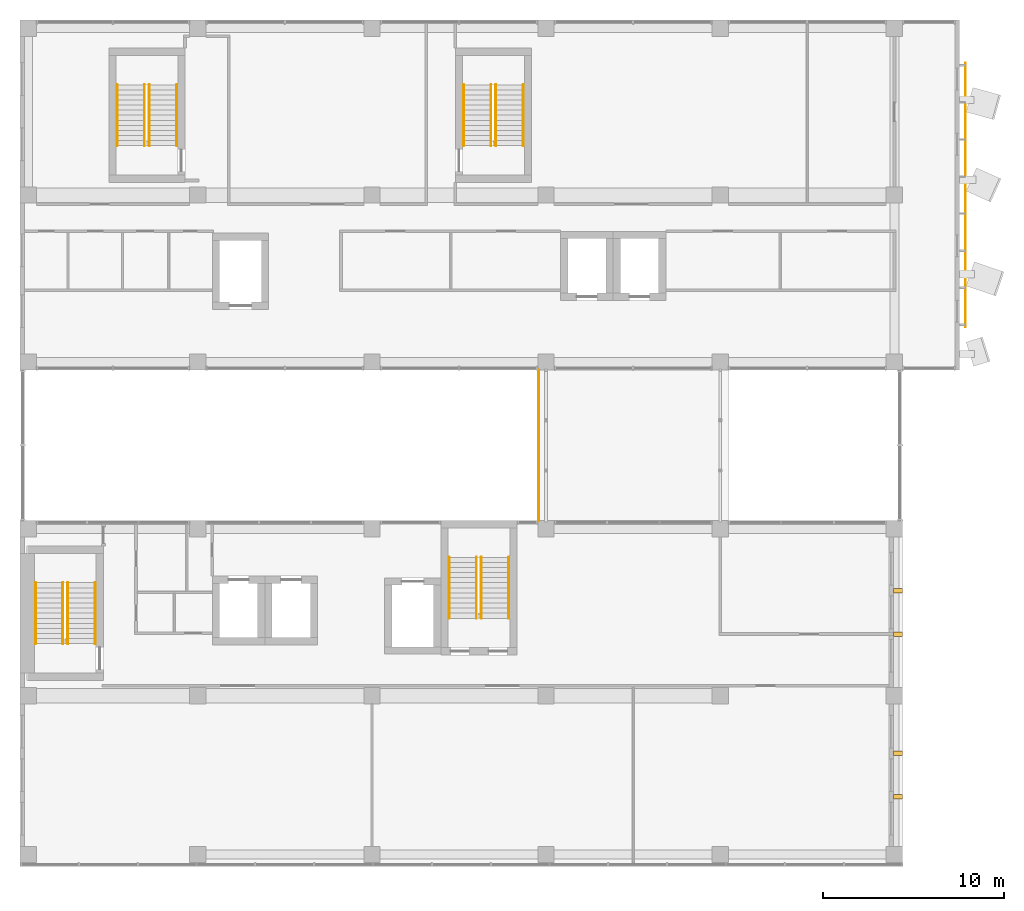
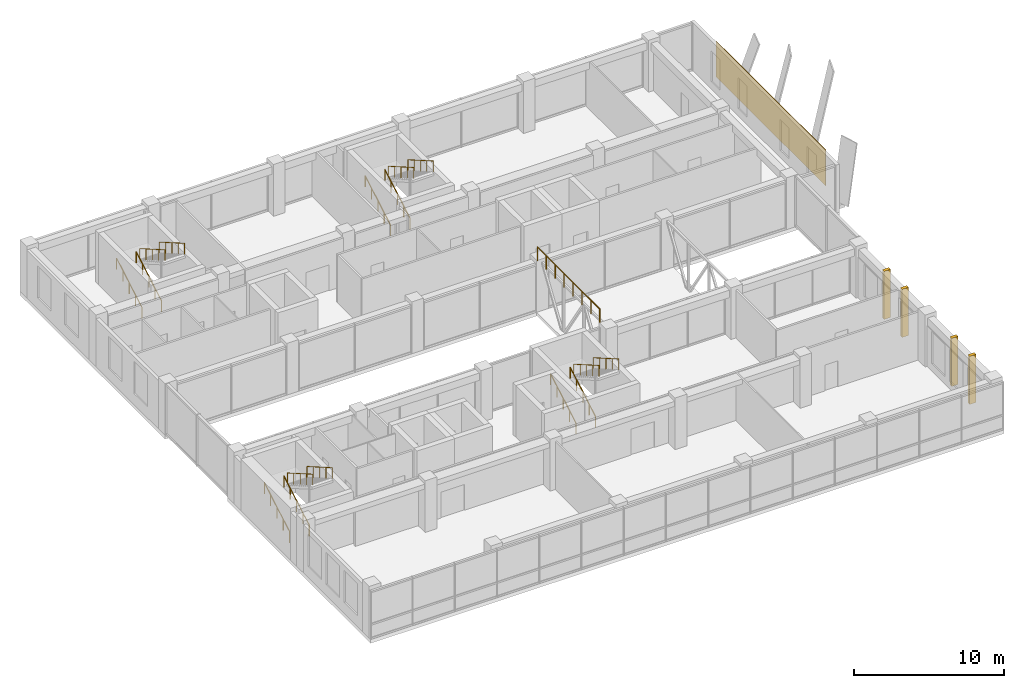
# One storey, part 33 of 38: 17 railings, 5 shading devices.
"""IFC4 building model written with IfcOpenShell, lengths in metres."""

from ifc_helpers import new_model, si_unit, direction, frame, origin, origin_2d, place, context, subcontext, project, spatial, rectangle, circle, extrude, material, type_object, element, save


model = new_model("IFC4")

# Units and contexts
model_context = context("Model", 3, precision=1e-05, world=origin(), true_north=direction((0.0, 1.0)))
body_context = subcontext(model_context, "Body", "Model", "MODEL_VIEW")
ifc_project = project(units=[si_unit("LENGTHUNIT", "METRE"), si_unit("AREAUNIT", "SQUARE_METRE"), si_unit("VOLUMEUNIT", "CUBIC_METRE"), si_unit("PLANEANGLEUNIT", "RADIAN"), si_unit("MASSUNIT", "GRAM", prefix="KILO")], contexts=[model_context])

# Site, building, storey
site_placement = place(None, origin())
site = spatial("IfcSite", under=ifc_project, at=site_placement, CompositionType="ELEMENT")
building_placement = place(site_placement, origin())
building = spatial("IfcBuilding", under=site, at=building_placement, Name="Nzadi Deep Aquarium and Research Tower", CompositionType="ELEMENT")
storey_placement = place(building_placement, frame((0.0, 0.0, 65.5)))
storey = spatial("IfcBuildingStorey", under=building, at=storey_placement, Name="L13", CompositionType="ELEMENT", Elevation=65.5)

# Shading devices
ifc_material_1 = material(Name="Concrete C35/45", Category="concrete")
shading_device_type_1 = type_object("IfcShadingDeviceType", Name="Fin board-formed concrete 250 deep", PredefinedType="USERDEFINED", material=ifc_material_1)
for number, where, z_axis, x_axis, name in (
    (1, (48.199951171875, 3.625, 0.0), (0.0, 0.0, 1.0), (1.0, 0.0, 0.0), "Fin blade A east L13"),
    (2, (48.199951171875, 6.02490234375, 0.0), (0.0, 0.0, 1.0), (1.0, 0.0, 0.0), "Fin blade A east L13"),
    (3, (48.199951171875, 12.60009765625, 0.0), (0.0, 0.0, 1.0), (1.0, 0.0, 0.0), "Fin blade A east L13"),
    (4, (48.199951171875, 15.0, 0.0), (0.0, 0.0, 1.0), (1.0, 0.0, 0.0), "Fin blade A east L13"),
):
    element("IfcShadingDevice", number, at=place(storey_placement, frame(where, z_axis=z_axis, x_axis=x_axis)), inside=storey, type_object=shading_device_type_1, Name=name, ObjectType="Fin", PredefinedType="USERDEFINED", context=body_context, shape_type="SweptSolid", body=[
        extrude(rectangle(XDim=0.5, YDim=0.25, at=origin_2d()), origin(), (0.0, 0.0, 1.0), 3.89990234375),
    ])

# Railings
ifc_material_2 = material(Name="Stainless steel 1.4301", Category="steel")
railing_type_1 = type_object("IfcRailingType", Name="Guard 1100 stainless steel", PredefinedType="GUARDRAIL", material=ifc_material_2)
railing_placement = place(storey_placement, frame((28.39990234375, 18.85009765625, 4.199951171875)))
element("IfcRailing", 5, at=railing_placement, inside=storey, type_object=railing_type_1, Name="Guard", PredefinedType="GUARDRAIL", context=body_context, shape_type="SweptSolid", body=[
    extrude(circle(Radius=0.02392578125, at=origin_2d()), frame((0.0, 0.0, 1.076171875), z_axis=(0.0, 1.0, 0.0), x_axis=(-1.0, 0.0, 0.0)), (0.0, 0.0, 1.0), 8.2998046875),
    extrude(circle(Radius=0.02099609375, at=origin_2d()), origin(), (0.0, 0.0, 1.0), 1.052001953125),
    extrude(circle(Radius=0.02099609375, at=origin_2d()), frame((0.0, 1.185791015625, 0.0)), (0.0, 0.0, 1.0), 1.052001953125),
    extrude(circle(Radius=0.02099609375, at=origin_2d()), frame((0.0, 2.371337890625, 0.0)), (0.0, 0.0, 1.0), 1.052001953125),
    extrude(circle(Radius=0.02099609375, at=origin_2d()), frame((0.0, 3.55712890625, 0.0)), (0.0, 0.0, 1.0), 1.052001953125),
    extrude(circle(Radius=0.02099609375, at=origin_2d()), frame((0.0, 4.74267578125, 0.0)), (0.0, 0.0, 1.0), 1.052001953125),
    extrude(circle(Radius=0.02099609375, at=origin_2d()), frame((0.0, 5.928466796875, 0.0)), (0.0, 0.0, 1.0), 1.052001953125),
    extrude(circle(Radius=0.02099609375, at=origin_2d()), frame((0.0, 7.114013671875, 0.0)), (0.0, 0.0, 1.0), 1.052001953125),
    extrude(circle(Radius=0.02099609375, at=origin_2d()), frame((0.0, 8.2998046875, 0.0)), (0.0, 0.0, 1.0), 1.052001953125),
])
ifc_material_3 = material(Name="Stainless steel 1.4301", Category="steel")
railing_type_2 = type_object("IfcRailingType", Name="HANDRAIL 900", PredefinedType="HANDRAIL", material=ifc_material_3)
for number, where, name in (
    (6, (0.659912109375, 12.070068359375, 0.16162109375), "HR-ST-Z1-SW-L13-F1"),
    (7, (2.1650390625, 12.070068359375, 0.16162109375), "HR-ST-Z1-SW-L13-F1W"),
):
    element("IfcRailing", number, at=place(storey_placement, frame(where)), inside=storey, type_object=railing_type_2, Name=name, PredefinedType="HANDRAIL", context=body_context, shape_type="SweptSolid", body=[
        extrude(circle(Radius=0.02392578125, at=origin_2d()), frame((0.0, 0.0, 0.8759765625), z_axis=(0.0, 0.866175107563, 0.499740615757), x_axis=(-1.0, 0.0, 0.0)), (0.0, 0.0, 1.0), 3.87890625),
        extrude(circle(Radius=0.02099609375, at=origin_2d()), origin(), (0.0, 0.0, 1.0), 0.851806640625),
        extrude(circle(Radius=0.02099609375, at=origin_2d()), frame((0.0, 0.83984375, 0.484619140625)), (0.0, 0.0, 1.0), 0.851806640625),
        extrude(circle(Radius=0.02099609375, at=origin_2d()), frame((0.0, 1.679931640625, 0.96923828125)), (0.0, 0.0, 1.0), 0.851806640625),
        extrude(circle(Radius=0.02099609375, at=origin_2d()), frame((0.0, 2.52001953125, 1.453857421875)), (0.0, 0.0, 1.0), 0.851806640625),
        extrude(circle(Radius=0.02099609375, at=origin_2d()), frame((0.0, 3.35986328125, 1.9384765625)), (0.0, 0.0, 1.0), 0.851806640625),
    ])
for number, where, name in (
    (8, (3.93994140625, 15.429931640625, 2.261474609375), "HR-ST-Z1-SW-L13-F2"),
    (9, (2.43505859375, 15.429931640625, 2.261474609375), "HR-ST-Z1-SW-L13-F2W"),
):
    element("IfcRailing", number, at=place(storey_placement, frame(where)), inside=storey, type_object=railing_type_2, Name=name, PredefinedType="HANDRAIL", context=body_context, shape_type="SweptSolid", body=[
        extrude(circle(Radius=0.02392578125, at=origin_2d()), frame((0.0, 0.0, 0.8759765625), z_axis=(0.0, -0.866175107563, 0.499740615757), x_axis=(1.0, 0.0, 0.0)), (0.0, 0.0, 1.0), 3.87890625),
        extrude(circle(Radius=0.02099609375, at=origin_2d()), origin(), (0.0, 0.0, 1.0), 0.851806640625),
        extrude(circle(Radius=0.02099609375, at=origin_2d()), frame((0.0, -0.83984375, 0.484619140625)), (0.0, 0.0, 1.0), 0.851806640625),
        extrude(circle(Radius=0.02099609375, at=origin_2d()), frame((0.0, -1.679931640625, 0.96923828125)), (0.0, 0.0, 1.0), 0.851806640625),
        extrude(circle(Radius=0.02099609375, at=origin_2d()), frame((0.0, -2.52001953125, 1.453857421875)), (0.0, 0.0, 1.0), 0.851806640625),
        extrude(circle(Radius=0.02099609375, at=origin_2d()), frame((0.0, -3.35986328125, 1.9384765625)), (0.0, 0.0, 1.0), 0.851806640625),
    ])
for number, where, name in (
    (10, (23.4599609375, 13.469970703125, 0.16162109375), "HR-ST-Z1-SE-L13-F1"),
    (11, (24.965087890625, 13.469970703125, 0.16162109375), "HR-ST-Z1-SE-L13-F1W"),
):
    element("IfcRailing", number, at=place(storey_placement, frame(where)), inside=storey, type_object=railing_type_2, Name=name, PredefinedType="HANDRAIL", context=body_context, shape_type="SweptSolid", body=[
        extrude(circle(Radius=0.02392578125, at=origin_2d()), frame((0.0, 0.0, 0.8759765625), z_axis=(0.0, 0.866190824863, 0.499713372768), x_axis=(-1.0, 0.0, 0.0)), (0.0, 0.0, 1.0), 3.879150390625),
        extrude(circle(Radius=0.02099609375, at=origin_2d()), origin(), (0.0, 0.0, 1.0), 0.851806640625),
        extrude(circle(Radius=0.02099609375, at=origin_2d()), frame((0.0, 0.840087890625, 0.484619140625)), (0.0, 0.0, 1.0), 0.851806640625),
        extrude(circle(Radius=0.02099609375, at=origin_2d()), frame((0.0, 1.68017578125, 0.96923828125)), (0.0, 0.0, 1.0), 0.851806640625),
        extrude(circle(Radius=0.02099609375, at=origin_2d()), frame((0.0, 2.52001953125, 1.453857421875)), (0.0, 0.0, 1.0), 0.851806640625),
        extrude(circle(Radius=0.02099609375, at=origin_2d()), frame((0.0, 3.360107421875, 1.9384765625)), (0.0, 0.0, 1.0), 0.851806640625),
    ])
for number, where, name in (
    (12, (26.739990234375, 16.830078125, 2.261474609375), "HR-ST-Z1-SE-L13-F2"),
    (13, (25.235107421875, 16.830078125, 2.261474609375), "HR-ST-Z1-SE-L13-F2W"),
):
    element("IfcRailing", number, at=place(storey_placement, frame(where)), inside=storey, type_object=railing_type_2, Name=name, PredefinedType="HANDRAIL", context=body_context, shape_type="SweptSolid", body=[
        extrude(circle(Radius=0.02392578125, at=origin_2d()), frame((0.0, 0.0, 0.8759765625), z_axis=(0.0, -0.866190824863, 0.499713372768), x_axis=(1.0, 0.0, 0.0)), (0.0, 0.0, 1.0), 3.879150390625),
        extrude(circle(Radius=0.02099609375, at=origin_2d()), origin(), (0.0, 0.0, 1.0), 0.851806640625),
        extrude(circle(Radius=0.02099609375, at=origin_2d()), frame((0.0, -0.840087890625, 0.484619140625)), (0.0, 0.0, 1.0), 0.851806640625),
        extrude(circle(Radius=0.02099609375, at=origin_2d()), frame((0.0, -1.68017578125, 0.96923828125)), (0.0, 0.0, 1.0), 0.851806640625),
        extrude(circle(Radius=0.02099609375, at=origin_2d()), frame((0.0, -2.52001953125, 1.453857421875)), (0.0, 0.0, 1.0), 0.851806640625),
        extrude(circle(Radius=0.02099609375, at=origin_2d()), frame((0.0, -3.360107421875, 1.9384765625)), (0.0, 0.0, 1.0), 0.851806640625),
    ])
for number, where, name in (
    (14, (5.159912109375, 39.52001953125, 0.16162109375), "HR-ST-Z1-NW-L13-F1"),
    (15, (6.6650390625, 39.52001953125, 0.16162109375), "HR-ST-Z1-NW-L13-F1W"),
):
    element("IfcRailing", number, at=place(storey_placement, frame(where)), inside=storey, type_object=railing_type_2, Name=name, PredefinedType="HANDRAIL", context=body_context, shape_type="SweptSolid", body=[
        extrude(circle(Radius=0.02392578125, at=origin_2d()), frame((0.0, 0.0, 0.8759765625), z_axis=(0.0, 0.866175107563, 0.499740615757), x_axis=(-1.0, 0.0, 0.0)), (0.0, 0.0, 1.0), 3.87890625),
        extrude(circle(Radius=0.02099609375, at=origin_2d()), origin(), (0.0, 0.0, 1.0), 0.851806640625),
        extrude(circle(Radius=0.02099609375, at=origin_2d()), frame((0.0, 0.83984375, 0.484619140625)), (0.0, 0.0, 1.0), 0.851806640625),
        extrude(circle(Radius=0.02099609375, at=origin_2d()), frame((0.0, 1.679931640625, 0.96923828125)), (0.0, 0.0, 1.0), 0.851806640625),
        extrude(circle(Radius=0.02099609375, at=origin_2d()), frame((0.0, 2.52001953125, 1.453857421875)), (0.0, 0.0, 1.0), 0.851806640625),
        extrude(circle(Radius=0.02099609375, at=origin_2d()), frame((0.0, 3.35986328125, 1.9384765625)), (0.0, 0.0, 1.0), 0.851806640625),
    ])
for number, where, name in (
    (16, (8.43994140625, 42.8798828125, 2.261474609375), "HR-ST-Z1-NW-L13-F2"),
    (17, (6.93505859375, 42.8798828125, 2.261474609375), "HR-ST-Z1-NW-L13-F2W"),
):
    element("IfcRailing", number, at=place(storey_placement, frame(where)), inside=storey, type_object=railing_type_2, Name=name, PredefinedType="HANDRAIL", context=body_context, shape_type="SweptSolid", body=[
        extrude(circle(Radius=0.02392578125, at=origin_2d()), frame((0.0, 0.0, 0.8759765625), z_axis=(0.0, -0.866175107563, 0.499740615757), x_axis=(1.0, 0.0, 0.0)), (0.0, 0.0, 1.0), 3.87890625),
        extrude(circle(Radius=0.02099609375, at=origin_2d()), origin(), (0.0, 0.0, 1.0), 0.851806640625),
        extrude(circle(Radius=0.02099609375, at=origin_2d()), frame((0.0, -0.83984375, 0.484619140625)), (0.0, 0.0, 1.0), 0.851806640625),
        extrude(circle(Radius=0.02099609375, at=origin_2d()), frame((0.0, -1.679931640625, 0.96923828125)), (0.0, 0.0, 1.0), 0.851806640625),
        extrude(circle(Radius=0.02099609375, at=origin_2d()), frame((0.0, -2.52001953125, 1.453857421875)), (0.0, 0.0, 1.0), 0.851806640625),
        extrude(circle(Radius=0.02099609375, at=origin_2d()), frame((0.0, -3.35986328125, 1.9384765625)), (0.0, 0.0, 1.0), 0.851806640625),
    ])
for number, where, name in (
    (18, (24.260009765625, 39.52001953125, 0.16162109375), "HR-ST-Z1-NE-L13-F1"),
    (19, (25.764892578125, 39.52001953125, 0.16162109375), "HR-ST-Z1-NE-L13-F1W"),
):
    element("IfcRailing", number, at=place(storey_placement, frame(where)), inside=storey, type_object=railing_type_2, Name=name, PredefinedType="HANDRAIL", context=body_context, shape_type="SweptSolid", body=[
        extrude(circle(Radius=0.02392578125, at=origin_2d()), frame((0.0, 0.0, 0.8759765625), z_axis=(0.0, 0.866175107563, 0.499740615757), x_axis=(-1.0, 0.0, 0.0)), (0.0, 0.0, 1.0), 3.87890625),
        extrude(circle(Radius=0.02099609375, at=origin_2d()), origin(), (0.0, 0.0, 1.0), 0.851806640625),
        extrude(circle(Radius=0.02099609375, at=origin_2d()), frame((0.0, 0.83984375, 0.484619140625)), (0.0, 0.0, 1.0), 0.851806640625),
        extrude(circle(Radius=0.02099609375, at=origin_2d()), frame((0.0, 1.679931640625, 0.96923828125)), (0.0, 0.0, 1.0), 0.851806640625),
        extrude(circle(Radius=0.02099609375, at=origin_2d()), frame((0.0, 2.52001953125, 1.453857421875)), (0.0, 0.0, 1.0), 0.851806640625),
        extrude(circle(Radius=0.02099609375, at=origin_2d()), frame((0.0, 3.35986328125, 1.9384765625)), (0.0, 0.0, 1.0), 0.851806640625),
    ])
for number, where, name in (
    (20, (27.5400390625, 42.8798828125, 2.261474609375), "HR-ST-Z1-NE-L13-F2"),
    (21, (26.034912109375, 42.8798828125, 2.261474609375), "HR-ST-Z1-NE-L13-F2W"),
):
    element("IfcRailing", number, at=place(storey_placement, frame(where)), inside=storey, type_object=railing_type_2, Name=name, PredefinedType="HANDRAIL", context=body_context, shape_type="SweptSolid", body=[
        extrude(circle(Radius=0.02392578125, at=origin_2d()), frame((0.0, 0.0, 0.8759765625), z_axis=(0.0, -0.866175107563, 0.499740615757), x_axis=(1.0, 0.0, 0.0)), (0.0, 0.0, 1.0), 3.87890625),
        extrude(circle(Radius=0.02099609375, at=origin_2d()), origin(), (0.0, 0.0, 1.0), 0.851806640625),
        extrude(circle(Radius=0.02099609375, at=origin_2d()), frame((0.0, -0.83984375, 0.484619140625)), (0.0, 0.0, 1.0), 0.851806640625),
        extrude(circle(Radius=0.02099609375, at=origin_2d()), frame((0.0, -1.679931640625, 0.96923828125)), (0.0, 0.0, 1.0), 0.851806640625),
        extrude(circle(Radius=0.02099609375, at=origin_2d()), frame((0.0, -2.52001953125, 1.453857421875)), (0.0, 0.0, 1.0), 0.851806640625),
        extrude(circle(Radius=0.02099609375, at=origin_2d()), frame((0.0, -3.35986328125, 1.9384765625)), (0.0, 0.0, 1.0), 0.851806640625),
    ])

# Shading device
ifc_material_4 = material(Name="Aluminium perforated sheet", Category="aluminium")
shading_device_type_2 = type_object("IfcShadingDeviceType", Name="Perforated screen 40 mm", PredefinedType="USERDEFINED", material=ifc_material_4)
shading_device_placement = place(storey_placement, frame((51.919921875, 36.800048828125, 0.60009765625), z_axis=(0.0, 0.0, 1.0), x_axis=(1.0, 0.0, 0.0)))
element("IfcShadingDevice", 22, at=shading_device_placement, inside=storey, type_object=shading_device_type_2, Name="Perforated screen L13 BE", ObjectType="Screen", PredefinedType="USERDEFINED", context=body_context, shape_type="SweptSolid", body=[
    extrude(rectangle(XDim=0.0400390625, YDim=14.60009765625, at=origin_2d()), origin(), (0.0, 0.0, 1.0), 2.89990234375),
])

save(model, "model.ifc")
